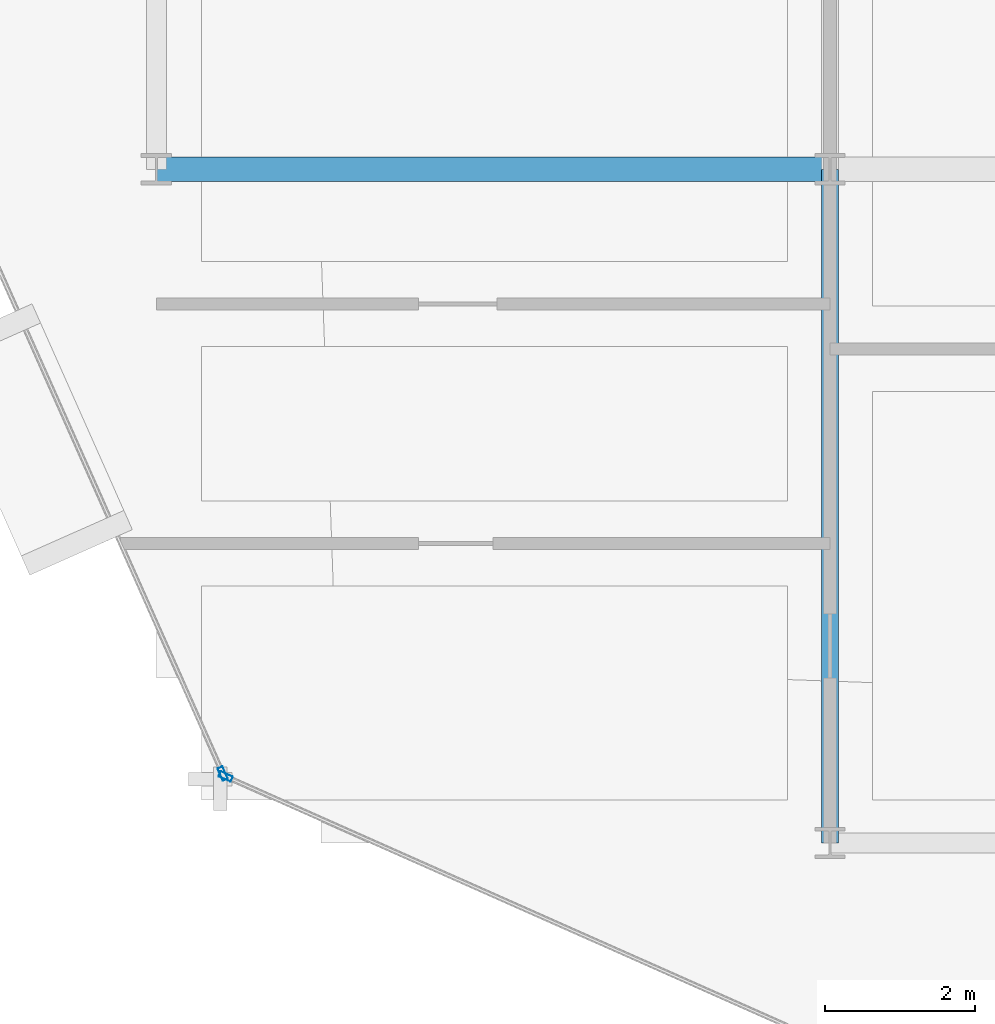
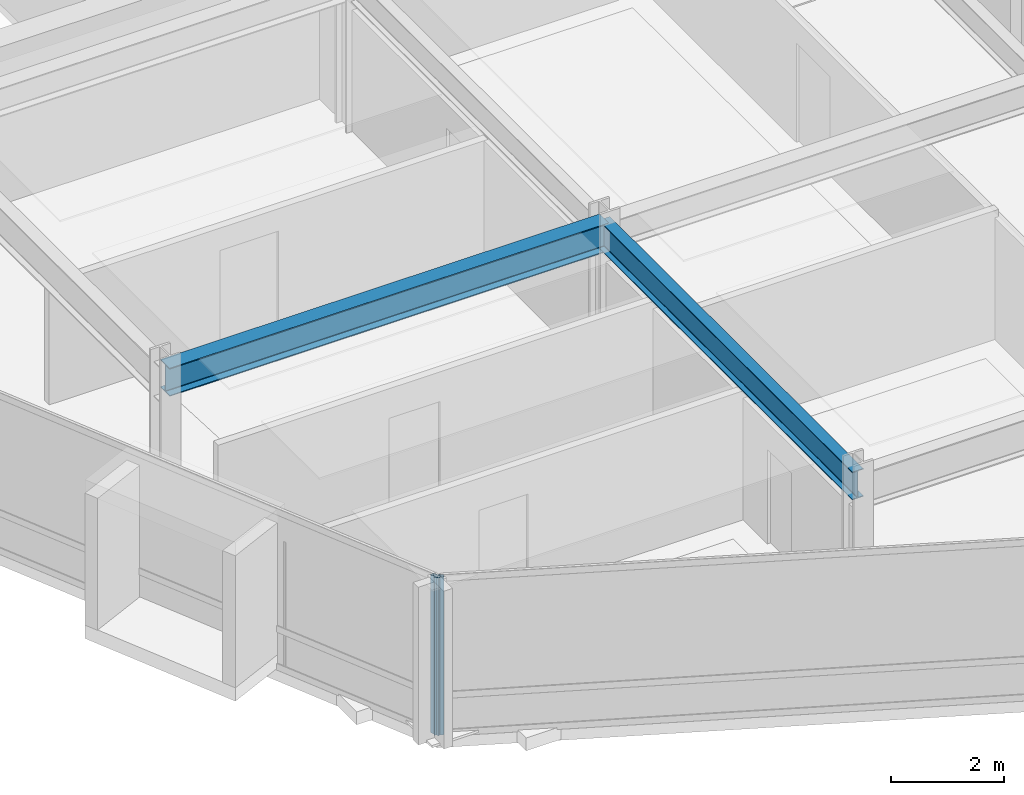
# One storey, part 2 of 27: 2 beams, 2 members, 2 elements without a shape of their own.
"""IFC4 building model written with IfcOpenShell, lengths in metres."""

from ifc_helpers import new_model, si_unit, direction, frame, origin, origin_2d, place, context, subcontext, project, spatial, hollow_rectangle, i_section, extrude, material, layer, layer_set, material_profile, profile_set, type_object, element, aggregate, save


model = new_model("IFC4")

# Units and contexts
model_context = context("Model", 3, precision=1e-05, world=origin(), true_north=direction((0.0, 1.0)))
body_context = subcontext(model_context, "Body", "Model", "MODEL_VIEW")
ifc_project = project(units=[si_unit("LENGTHUNIT", "METRE"), si_unit("AREAUNIT", "SQUARE_METRE"), si_unit("VOLUMEUNIT", "CUBIC_METRE"), si_unit("PLANEANGLEUNIT", "RADIAN"), si_unit("MASSUNIT", "GRAM", prefix="KILO")], contexts=[model_context])

# Site, building, storey
site_placement = place(None, origin())
site = spatial("IfcSite", under=ifc_project, at=site_placement, CompositionType="ELEMENT")
building_placement = place(site_placement, origin())
building = spatial("IfcBuilding", under=site, at=building_placement, Name="Solvaryn Broadcast Tower", CompositionType="ELEMENT")
storey_placement = place(building_placement, frame((0.0, 0.0, 185.300048828125)))
storey = spatial("IfcBuildingStorey", under=building, at=storey_placement, Name="L46", CompositionType="ELEMENT", Elevation=185.300048828125)

# Beams
ifc_material_1 = material(Name="Steel ASTM A992 Grade 50", Category="steel")
ifc_material_profile_1 = material_profile(ifc_material_1, i_section(OverallWidth=0.323974609375, OverallDepth=0.611083984375, WebThickness=0.0126953125, FlangeThickness=0.01904296875, FilletRadius=0.014892578125, at=origin_2d()))
ifc_profile_set_1 = profile_set([ifc_material_profile_1], Name="Steel ASTM A992 Grade 50")
beam_type_1 = type_object("IfcBeamType", Name="BM-B1-W24X104", PredefinedType="BEAM", material=ifc_profile_set_1)
beam_1_placement = place(storey_placement, frame((9.0, 18.0, 3.114501953125), z_axis=(1.0, 0.0, 0.0), x_axis=(0.0, 1.0, 0.0)))
element("IfcBeam", 1, at=beam_1_placement, inside=storey, type_object=beam_type_1, Name="L46 Primary Beam X (9-18 @ Y=18)", PredefinedType="BEAM", context=body_context, shape_type="SweptSolid", body=[
    extrude(i_section(OverallWidth=0.323974609375, OverallDepth=0.611083984375, WebThickness=0.0126953125, FlangeThickness=0.01904296875, FilletRadius=0.014892578125, at=origin_2d()), origin(), (0.0, 0.0, 1.0), 9.0),
])
ifc_material_2 = material(Name="Steel ASTM A992 Grade 50", Category="steel")
ifc_material_profile_2 = material_profile(ifc_material_2, i_section(OverallWidth=0.22802734375, OverallDepth=0.60791015625, WebThickness=0.01123046875, FlangeThickness=0.017333984375, FilletRadius=0.014892578125, at=origin_2d()))
ifc_profile_set_2 = profile_set([ifc_material_profile_2], Name="Steel ASTM A992 Grade 50")
beam_type_2 = type_object("IfcBeamType", Name="BM-B2-W24X76", PredefinedType="BEAM", material=ifc_profile_set_2)
beam_2_placement = place(storey_placement, frame((18.0, 9.0, 3.115966796875), z_axis=(0.0, 1.0, 0.0), x_axis=(-1.0, 0.0, 0.0)))
element("IfcBeam", 2, at=beam_2_placement, inside=storey, type_object=beam_type_2, Name="L46 Primary Beam Y (9-18 @ X=18)", PredefinedType="BEAM", context=body_context, shape_type="SweptSolid", body=[
    extrude(i_section(OverallWidth=0.22802734375, OverallDepth=0.60791015625, WebThickness=0.01123046875, FlangeThickness=0.017333984375, FilletRadius=0.014892578125, at=origin_2d()), origin(), (0.0, 0.0, 1.0), 9.0),
])

# Curtain wall, member
ifc_material_3 = material(Name="Aluminium and Terracotta Unitised Curtain Wall", Category="masonry")
ifc_layer_1 = layer(ifc_material_3, 0.239990234375)
ifc_layer_set_1 = layer_set([ifc_layer_1], Name="CW-SYS3-BAYBOX")
curtain_wall_type_1 = type_object("IfcCurtainWallType", Name="CW-SYS3-BAYBOX", PredefinedType="NOTDEFINED", material=ifc_layer_set_1)
curtain_wall_1_placement = place(storey_placement, origin())
curtain_wall_1 = element("IfcCurtainWall", 3, at=curtain_wall_1_placement, inside=storey, type_object=curtain_wall_type_1, Name="L46 Curtain Wall DR2", PredefinedType="NOTDEFINED")
ifc_material_4 = material(Name="Anodised Aluminium 6063-T6", Category="aluminium")
ifc_material_profile_3 = material_profile(ifc_material_4, hollow_rectangle(XDim=0.074951171875, YDim=0.179931640625, WallThickness=0.00390625, InnerFilletRadius=0.00390625, OuterFilletRadius=0.008056640625, at=origin_2d()))
ifc_profile_set_3 = profile_set([ifc_material_profile_3], Name="Anodised Aluminium 6063-T6")
member_type = type_object("IfcMemberType", Name="CW-MUL-180", PredefinedType="MULLION", material=ifc_profile_set_3)
member_1_placement = place(storey_placement, frame((9.8857421875, 9.925537109375, 0.0), z_axis=(0.0, 0.0, 1.0), x_axis=(0.913916902365, 0.405901337237, 0.0)))
member_1 = element("IfcMember", 4, at=member_1_placement, type_object=member_type, Name="CWS3 mullion 2", PredefinedType="MULLION", context=body_context, shape_type="SweptSolid", body=[
    extrude(hollow_rectangle(XDim=0.074951171875, YDim=0.179931640625, WallThickness=0.00390625, InnerFilletRadius=0.00390625, OuterFilletRadius=0.008056640625, at=origin_2d()), origin(), (0.0, 0.0, 1.0), 3.419921875),
])
aggregate(curtain_wall_1, [member_1])

ifc_material_5 = material(Name="Aluminium and Terracotta Unitised Curtain Wall", Category="masonry")
ifc_layer_2 = layer(ifc_material_5, 0.199951171875)
ifc_layer_set_2 = layer_set([ifc_layer_2], Name="CW-SYS2-LOWMID")
curtain_wall_type_2 = type_object("IfcCurtainWallType", Name="CW-SYS2-LOWMID", PredefinedType="NOTDEFINED", material=ifc_layer_set_2)
curtain_wall_2_placement = place(storey_placement, origin())
curtain_wall_2 = element("IfcCurtainWall", 5, at=curtain_wall_2_placement, inside=storey, type_object=curtain_wall_type_2, Name="L46 Curtain Wall DR3", PredefinedType="NOTDEFINED")
member_2_placement = place(storey_placement, frame((9.925537109375, 9.8857421875, 0.0), z_axis=(0.0, 0.0, 1.0), x_axis=(0.405901337237, 0.913916902365, 0.0)))
member_2 = element("IfcMember", 6, at=member_2_placement, type_object=member_type, Name="CWS2 mullion 1", PredefinedType="MULLION", context=body_context, shape_type="SweptSolid", body=[
    extrude(hollow_rectangle(XDim=0.074951171875, YDim=0.179931640625, WallThickness=0.00390625, InnerFilletRadius=0.00390625, OuterFilletRadius=0.008056640625, at=origin_2d()), origin(), (0.0, 0.0, 1.0), 3.419921875),
])
aggregate(curtain_wall_2, [member_2])

save(model, "model.ifc")
